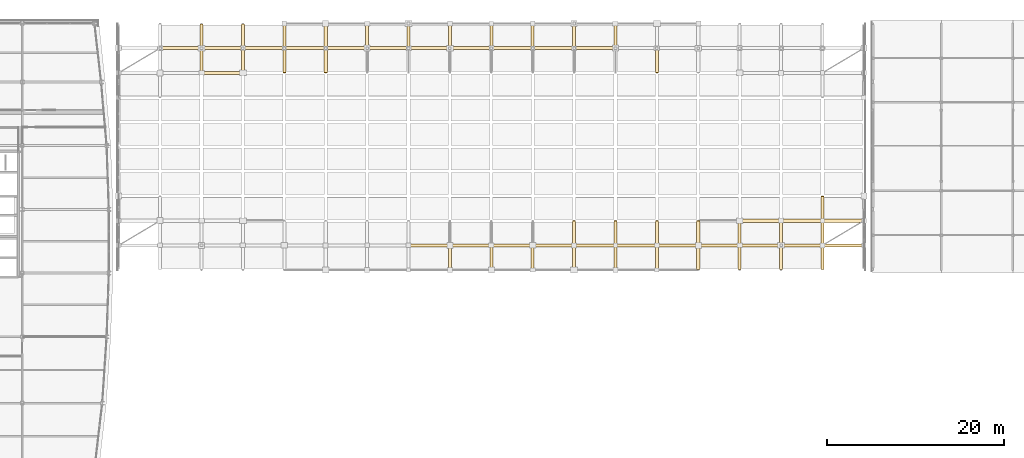
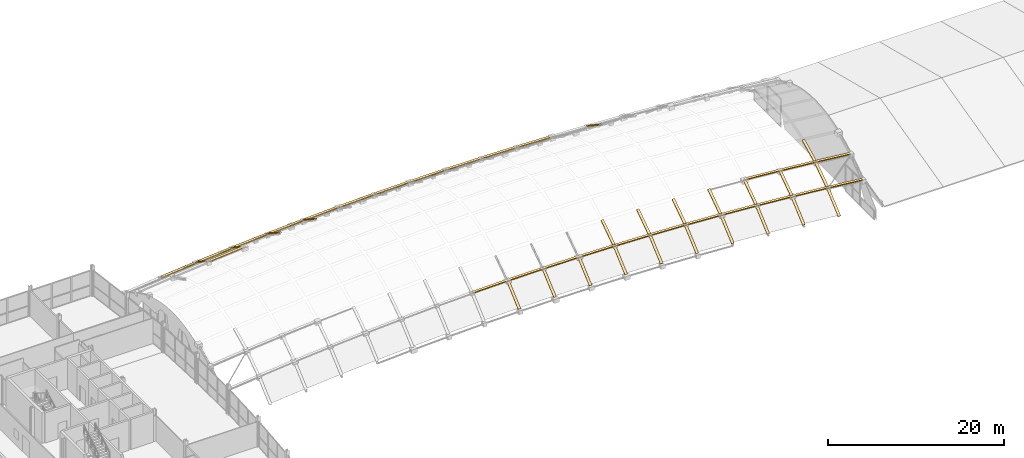
# One storey, part 64 of 65: 60 coverings.
"""IFC4 building model written with IfcOpenShell, lengths in metres."""

from ifc_helpers import new_model, si_unit, direction, frame, origin, place, context, subcontext, project, spatial, polyline, outline, extrude, material, layer, layer_set, type_object, element, save


model = new_model("IFC4")

# Units and contexts
model_context = context("Model", 3, precision=1e-05, world=origin(), true_north=direction((0.0, 1.0)))
body_context = subcontext(model_context, "Body", "Model", "MODEL_VIEW")
ifc_project = project(units=[si_unit("LENGTHUNIT", "METRE"), si_unit("AREAUNIT", "SQUARE_METRE"), si_unit("VOLUMEUNIT", "CUBIC_METRE"), si_unit("PLANEANGLEUNIT", "RADIAN"), si_unit("MASSUNIT", "GRAM", prefix="KILO")], contexts=[model_context])

# Site, building, storey
site_placement = place(None, origin())
site = spatial("IfcSite", under=ifc_project, at=site_placement, CompositionType="ELEMENT")
building_placement = place(site_placement, origin())
building = spatial("IfcBuilding", under=site, at=building_placement, Name="Quillay Park Conservatory", CompositionType="ELEMENT")
storey_placement = place(building_placement, frame((0.0, 0.0, 14.10009765625)))
storey = spatial("IfcBuildingStorey", under=building, at=storey_placement, Name="L03", CompositionType="ELEMENT", Elevation=14.10009765625)

# Coverings
ifc_material = material(Name="Thermally Broken Anodised Aluminium 6063-T6", Category="aluminium")
ifc_layer = layer(ifc_material, 0.090087890625)
ifc_layer_set = layer_set([ifc_layer], Name="GRIDSHELL GLAZING CAP BAR 90 (Thermally Broken Anodised Aluminium 6063-T6)")
covering_type = type_object("IfcCoveringType", Name="GRIDSHELL GLAZING CAP BAR 90", PredefinedType="CLADDING", material=ifc_layer_set)
covering_1_placement = place(storey_placement, frame((39.83056640625, 107.8798828125, 3.922119140625), z_axis=(0.0, 0.556164150236, 0.83107246254), x_axis=(1.0, 0.0, 0.0)))
element("IfcCovering", 1, at=covering_1_placement, inside=storey, type_object=covering_type, Name="Gridshell Transverse Glazing Cap Bar 02-08", PredefinedType="CLADDING", context=body_context, shape_type="SweptSolid", body=[
    extrude(outline(polyline([(0.0, 0.0), (0.35009765625, 0.0), (0.35009765625, 3.230835715027263), (0.0, 3.230835715027263), (0.0, 0.0)])), origin(), (0.0, 0.0, -1.0), 0.1201171875),
])
covering_2_placement = place(storey_placement, frame((39.83056640625, 110.6650390625, 2.051025390625), z_axis=(0.0, 0.652582474845, 0.757717700417), x_axis=(1.0, 0.0, 0.0)))
element("IfcCovering", 2, at=covering_2_placement, inside=storey, type_object=covering_type, Name="Gridshell Transverse Glazing Cap Bar 02-09", PredefinedType="CLADDING", context=body_context, shape_type="SweptSolid", body=[
    extrude(outline(polyline([(0.0, 0.0), (0.35009765625, 0.0), (0.35009765625, 3.543613396220125), (0.0, 3.543613396220125), (0.0, 0.0)])), origin(), (0.0, 0.0, -1.0), 0.1201171875),
])
covering_3_placement = place(storey_placement, frame((44.50830078125, 107.8798828125, 4.301025390625), z_axis=(0.0, 0.556164150236, 0.83107246254), x_axis=(1.0, 0.0, 0.0)))
element("IfcCovering", 3, at=covering_3_placement, inside=storey, type_object=covering_type, Name="Gridshell Transverse Glazing Cap Bar 03-08", PredefinedType="CLADDING", context=body_context, shape_type="SweptSolid", body=[
    extrude(outline(polyline([(0.0, 0.0), (0.35009765625, 0.0), (0.35009765625, 3.230835715027263), (0.0, 3.230835715027263), (0.0, 0.0)])), origin(), (0.0, 0.0, -1.0), 0.1201171875),
])
covering_4_placement = place(storey_placement, frame((44.50830078125, 110.6650390625, 2.429931640625), z_axis=(0.0, 0.652582474845, 0.757717700417), x_axis=(1.0, 0.0, 0.0)))
element("IfcCovering", 4, at=covering_4_placement, inside=storey, type_object=covering_type, Name="Gridshell Transverse Glazing Cap Bar 03-09", PredefinedType="CLADDING", context=body_context, shape_type="SweptSolid", body=[
    extrude(outline(polyline([(0.0, 0.0), (0.35009765625, 0.0), (0.35009765625, 3.543613396220125), (0.0, 3.543613396220125), (0.0, 0.0)])), origin(), (0.0, 0.0, -1.0), 0.1201171875),
])
covering_5_placement = place(storey_placement, frame((49.18603515625, 107.8798828125, 4.621337890625), z_axis=(0.0, 0.556164150236, 0.83107246254), x_axis=(1.0, 0.0, 0.0)))
element("IfcCovering", 5, at=covering_5_placement, inside=storey, type_object=covering_type, Name="Gridshell Transverse Glazing Cap Bar 04-08", PredefinedType="CLADDING", context=body_context, shape_type="SweptSolid", body=[
    extrude(outline(polyline([(0.0, 0.0), (0.35009765625, 0.0), (0.35009765625, 3.230835715027263), (0.0, 3.230835715027263), (0.0, 0.0)])), origin(), (0.0, 0.0, -1.0), 0.1201171875),
])
covering_6_placement = place(storey_placement, frame((49.18603515625, 110.6650390625, 2.750244140625), z_axis=(0.0, 0.652582474845, 0.757717700417), x_axis=(1.0, 0.0, 0.0)))
element("IfcCovering", 6, at=covering_6_placement, inside=storey, type_object=covering_type, Name="Gridshell Transverse Glazing Cap Bar 04-09", PredefinedType="CLADDING", context=body_context, shape_type="SweptSolid", body=[
    extrude(outline(polyline([(0.0, 0.0), (0.35009765625, 0.0), (0.35009765625, 3.543613396220125), (0.0, 3.543613396220125), (0.0, 0.0)])), origin(), (0.0, 0.0, -1.0), 0.1201171875),
])
covering_7_placement = place(storey_placement, frame((53.864013671875, 107.8798828125, 4.883056640625), z_axis=(0.0, 0.556164150236, 0.83107246254), x_axis=(1.0, 0.0, 0.0)))
element("IfcCovering", 7, at=covering_7_placement, inside=storey, type_object=covering_type, Name="Gridshell Transverse Glazing Cap Bar 05-08", PredefinedType="CLADDING", context=body_context, shape_type="SweptSolid", body=[
    extrude(outline(polyline([(0.0, 0.0), (0.349853515625, 0.0), (0.349853515625, 3.230835715027263), (0.0, 3.230835715027263), (0.0, 0.0)])), origin(), (0.0, 0.0, -1.0), 0.1201171875),
])
for number, where, z_axis, x_axis, name in (
    (8, (53.864013671875, 110.6650390625, 3.011962890625), (0.0, 0.652582474845, 0.757717700417), (1.0, 0.0, 0.0), "Gridshell Transverse Glazing Cap Bar 05-09"),
    (9, (58.541748046875, 110.6650390625, 3.215087890625), (0.0, 0.652582474845, 0.757717700417), (1.0, 0.0, 0.0), "Gridshell Transverse Glazing Cap Bar 06-09"),
    (10, (63.219482421875, 110.6650390625, 3.363525390625), (0.0, 0.652582474845, 0.757717700417), (1.0, 0.0, 0.0), "Gridshell Transverse Glazing Cap Bar 07-09"),
):
    element("IfcCovering", number, at=place(storey_placement, frame(where, z_axis=z_axis, x_axis=x_axis)), inside=storey, type_object=covering_type, Name=name, PredefinedType="CLADDING", context=body_context, shape_type="SweptSolid", body=[
        extrude(outline(polyline([(0.0, 0.0), (0.349853515625, 0.0), (0.349853515625, 3.543613396220125), (0.0, 3.543613396220125), (0.0, 0.0)])), origin(), (0.0, 0.0, -1.0), 0.1201171875),
    ])
covering_8_placement = place(storey_placement, frame((67.897216796875, 85.60009765625, 0.894775390625), z_axis=(0.0, -0.660113439794, 0.751165924815), x_axis=(1.0, 0.0, 0.0)))
element("IfcCovering", 11, at=covering_8_placement, inside=storey, type_object=covering_type, Name="Gridshell Transverse Glazing Cap Bar 08-00", PredefinedType="CLADDING", context=body_context, shape_type="SweptSolid", body=[
    extrude(outline(polyline([(0.0, 0.0), (0.35009765625, 0.0), (0.35009765625, 3.574196278652572), (0.0, 3.574196278652572), (0.0, 0.0)])), origin(), (0.0, 0.0, -1.0), 0.1201171875),
])
covering_9_placement = place(storey_placement, frame((67.897216796875, 110.6650390625, 3.449462890625), z_axis=(0.0, 0.652582474845, 0.757717700417), x_axis=(1.0, 0.0, 0.0)))
element("IfcCovering", 12, at=covering_9_placement, inside=storey, type_object=covering_type, Name="Gridshell Transverse Glazing Cap Bar 08-09", PredefinedType="CLADDING", context=body_context, shape_type="SweptSolid", body=[
    extrude(outline(polyline([(0.0, 0.0), (0.35009765625, 0.0), (0.35009765625, 3.543613396220125), (0.0, 3.543613396220125), (0.0, 0.0)])), origin(), (0.0, 0.0, -1.0), 0.1201171875),
])
covering_10_placement = place(storey_placement, frame((72.574951171875, 85.60009765625, 0.926025390625), z_axis=(0.0, -0.660113439794, 0.751165924815), x_axis=(1.0, 0.0, 0.0)))
element("IfcCovering", 13, at=covering_10_placement, inside=storey, type_object=covering_type, Name="Gridshell Transverse Glazing Cap Bar 09-00", PredefinedType="CLADDING", context=body_context, shape_type="SweptSolid", body=[
    extrude(outline(polyline([(0.0, 0.0), (0.35009765625, 0.0), (0.35009765625, 3.574196278652572), (0.0, 3.574196278652572), (0.0, 0.0)])), origin(), (0.0, 0.0, -1.0), 0.1201171875),
])
covering_11_placement = place(storey_placement, frame((72.574951171875, 110.6650390625, 3.480712890625), z_axis=(0.0, 0.652582474845, 0.757717700417), x_axis=(1.0, 0.0, 0.0)))
element("IfcCovering", 14, at=covering_11_placement, inside=storey, type_object=covering_type, Name="Gridshell Transverse Glazing Cap Bar 09-09", PredefinedType="CLADDING", context=body_context, shape_type="SweptSolid", body=[
    extrude(outline(polyline([(0.0, 0.0), (0.35009765625, 0.0), (0.35009765625, 3.543613396220125), (0.0, 3.543613396220125), (0.0, 0.0)])), origin(), (0.0, 0.0, -1.0), 0.1201171875),
])
covering_12_placement = place(storey_placement, frame((77.252685546875, 85.60009765625, 0.894775390625), z_axis=(0.0, -0.660113439794, 0.751165924815), x_axis=(1.0, 0.0, 0.0)))
element("IfcCovering", 15, at=covering_12_placement, inside=storey, type_object=covering_type, Name="Gridshell Transverse Glazing Cap Bar 10-00", PredefinedType="CLADDING", context=body_context, shape_type="SweptSolid", body=[
    extrude(outline(polyline([(0.0, 0.0), (0.35009765625, 0.0), (0.35009765625, 3.574196278652572), (0.0, 3.574196278652572), (0.0, 0.0)])), origin(), (0.0, 0.0, -1.0), 0.1201171875),
])
covering_13_placement = place(storey_placement, frame((77.252685546875, 110.6650390625, 3.449462890625), z_axis=(0.0, 0.652582474845, 0.757717700417), x_axis=(1.0, 0.0, 0.0)))
element("IfcCovering", 16, at=covering_13_placement, inside=storey, type_object=covering_type, Name="Gridshell Transverse Glazing Cap Bar 10-09", PredefinedType="CLADDING", context=body_context, shape_type="SweptSolid", body=[
    extrude(outline(polyline([(0.0, 0.0), (0.35009765625, 0.0), (0.35009765625, 3.543613396220125), (0.0, 3.543613396220125), (0.0, 0.0)])), origin(), (0.0, 0.0, -1.0), 0.1201171875),
])
covering_14_placement = place(storey_placement, frame((81.9306640625, 85.60009765625, 0.808837890625), z_axis=(0.0, -0.660113439794, 0.751165924815), x_axis=(1.0, 0.0, 0.0)))
element("IfcCovering", 17, at=covering_14_placement, inside=storey, type_object=covering_type, Name="Gridshell Transverse Glazing Cap Bar 11-00", PredefinedType="CLADDING", context=body_context, shape_type="SweptSolid", body=[
    extrude(outline(polyline([(0.0, 0.0), (0.349853515625, 0.0), (0.349853515625, 3.574196278652572), (0.0, 3.574196278652572), (0.0, 0.0)])), origin(), (0.0, 0.0, -1.0), 0.1201171875),
])
covering_15_placement = place(storey_placement, frame((81.9306640625, 88.385009765625, 3.246337890625), z_axis=(0.0, -0.565248454468, 0.824920714203), x_axis=(1.0, 0.0, 0.0)))
element("IfcCovering", 18, at=covering_15_placement, inside=storey, type_object=covering_type, Name="Gridshell Transverse Glazing Cap Bar 11-01", PredefinedType="CLADDING", context=body_context, shape_type="SweptSolid", body=[
    extrude(outline(polyline([(0.0, 0.0), (0.349853515625, 0.0), (0.349853515625, 3.2549292889838313), (0.0, 3.2549292889838313), (0.0, 0.0)])), origin(), (0.0, 0.0, -1.0), 0.1201171875),
])
covering_16_placement = place(storey_placement, frame((81.9306640625, 110.6650390625, 3.363525390625), z_axis=(0.0, 0.652582474845, 0.757717700417), x_axis=(1.0, 0.0, 0.0)))
element("IfcCovering", 19, at=covering_16_placement, inside=storey, type_object=covering_type, Name="Gridshell Transverse Glazing Cap Bar 11-09", PredefinedType="CLADDING", context=body_context, shape_type="SweptSolid", body=[
    extrude(outline(polyline([(0.0, 0.0), (0.349853515625, 0.0), (0.349853515625, 3.543613396220125), (0.0, 3.543613396220125), (0.0, 0.0)])), origin(), (0.0, 0.0, -1.0), 0.1201171875),
])
covering_17_placement = place(storey_placement, frame((86.6083984375, 85.60009765625, 0.660400390625), z_axis=(0.0, -0.660113439794, 0.751165924815), x_axis=(1.0, 0.0, 0.0)))
element("IfcCovering", 20, at=covering_17_placement, inside=storey, type_object=covering_type, Name="Gridshell Transverse Glazing Cap Bar 12-00", PredefinedType="CLADDING", context=body_context, shape_type="SweptSolid", body=[
    extrude(outline(polyline([(0.0, 0.0), (0.349853515625, 0.0), (0.349853515625, 3.574196278652572), (0.0, 3.574196278652572), (0.0, 0.0)])), origin(), (0.0, 0.0, -1.0), 0.1201171875),
])
covering_18_placement = place(storey_placement, frame((86.6083984375, 88.385009765625, 3.097900390625), z_axis=(0.0, -0.565248454468, 0.824920714203), x_axis=(1.0, 0.0, 0.0)))
element("IfcCovering", 21, at=covering_18_placement, inside=storey, type_object=covering_type, Name="Gridshell Transverse Glazing Cap Bar 12-01", PredefinedType="CLADDING", context=body_context, shape_type="SweptSolid", body=[
    extrude(outline(polyline([(0.0, 0.0), (0.349853515625, 0.0), (0.349853515625, 3.2549292889838313), (0.0, 3.2549292889838313), (0.0, 0.0)])), origin(), (0.0, 0.0, -1.0), 0.1201171875),
])
covering_19_placement = place(storey_placement, frame((86.6083984375, 110.6650390625, 3.215087890625), z_axis=(0.0, 0.652582474845, 0.757717700417), x_axis=(1.0, 0.0, 0.0)))
element("IfcCovering", 22, at=covering_19_placement, inside=storey, type_object=covering_type, Name="Gridshell Transverse Glazing Cap Bar 12-09", PredefinedType="CLADDING", context=body_context, shape_type="SweptSolid", body=[
    extrude(outline(polyline([(0.0, 0.0), (0.349853515625, 0.0), (0.349853515625, 3.543613396220125), (0.0, 3.543613396220125), (0.0, 0.0)])), origin(), (0.0, 0.0, -1.0), 0.1201171875),
])
covering_20_placement = place(storey_placement, frame((91.2861328125, 85.60009765625, 0.457275390625), z_axis=(0.0, -0.660113439794, 0.751165924815), x_axis=(1.0, 0.0, 0.0)))
element("IfcCovering", 23, at=covering_20_placement, inside=storey, type_object=covering_type, Name="Gridshell Transverse Glazing Cap Bar 13-00", PredefinedType="CLADDING", context=body_context, shape_type="SweptSolid", body=[
    extrude(outline(polyline([(0.0, 0.0), (0.349853515625, 0.0), (0.349853515625, 3.574196278652572), (0.0, 3.574196278652572), (0.0, 0.0)])), origin(), (0.0, 0.0, -1.0), 0.1201171875),
])
covering_21_placement = place(storey_placement, frame((91.2861328125, 88.385009765625, 2.894775390625), z_axis=(0.0, -0.565248454468, 0.824920714203), x_axis=(1.0, 0.0, 0.0)))
element("IfcCovering", 24, at=covering_21_placement, inside=storey, type_object=covering_type, Name="Gridshell Transverse Glazing Cap Bar 13-01", PredefinedType="CLADDING", context=body_context, shape_type="SweptSolid", body=[
    extrude(outline(polyline([(0.0, 0.0), (0.349853515625, 0.0), (0.349853515625, 3.2549292889838313), (0.0, 3.2549292889838313), (0.0, 0.0)])), origin(), (0.0, 0.0, -1.0), 0.1201171875),
])
covering_22_placement = place(storey_placement, frame((91.2861328125, 107.8798828125, 4.883056640625), z_axis=(0.0, 0.556164150236, 0.83107246254), x_axis=(1.0, 0.0, 0.0)))
element("IfcCovering", 25, at=covering_22_placement, inside=storey, type_object=covering_type, Name="Gridshell Transverse Glazing Cap Bar 13-08", PredefinedType="CLADDING", context=body_context, shape_type="SweptSolid", body=[
    extrude(outline(polyline([(0.0, 0.0), (0.349853515625, 0.0), (0.349853515625, 3.230835715027263), (0.0, 3.230835715027263), (0.0, 0.0)])), origin(), (0.0, 0.0, -1.0), 0.1201171875),
])
covering_23_placement = place(storey_placement, frame((95.9638671875, 85.60009765625, 0.195556640625), z_axis=(0.0, -0.660113439794, 0.751165924815), x_axis=(1.0, 0.0, 0.0)))
element("IfcCovering", 26, at=covering_23_placement, inside=storey, type_object=covering_type, Name="Gridshell Transverse Glazing Cap Bar 14-00", PredefinedType="CLADDING", context=body_context, shape_type="SweptSolid", body=[
    extrude(outline(polyline([(0.0, 0.0), (0.35009765625, 0.0), (0.35009765625, 3.574196278652572), (0.0, 3.574196278652572), (0.0, 0.0)])), origin(), (0.0, 0.0, -1.0), 0.1201171875),
])
covering_24_placement = place(storey_placement, frame((95.9638671875, 88.385009765625, 2.633056640625), z_axis=(0.0, -0.565248454468, 0.824920714203), x_axis=(1.0, 0.0, 0.0)))
element("IfcCovering", 27, at=covering_24_placement, inside=storey, type_object=covering_type, Name="Gridshell Transverse Glazing Cap Bar 14-01", PredefinedType="CLADDING", context=body_context, shape_type="SweptSolid", body=[
    extrude(outline(polyline([(0.0, 0.0), (0.35009765625, 0.0), (0.35009765625, 3.2549292889838313), (0.0, 3.2549292889838313), (0.0, 0.0)])), origin(), (0.0, 0.0, -1.0), 0.1201171875),
])
covering_25_placement = place(storey_placement, frame((100.6416015625, 85.60009765625, -0.124755859375), z_axis=(0.0, -0.660113439794, 0.751165924815), x_axis=(1.0, 0.0, 0.0)))
element("IfcCovering", 28, at=covering_25_placement, inside=storey, type_object=covering_type, Name="Gridshell Transverse Glazing Cap Bar 15-00", PredefinedType="CLADDING", context=body_context, shape_type="SweptSolid", body=[
    extrude(outline(polyline([(0.0, 0.0), (0.35009765625, 0.0), (0.35009765625, 3.574196278652572), (0.0, 3.574196278652572), (0.0, 0.0)])), origin(), (0.0, 0.0, -1.0), 0.1201171875),
])
covering_26_placement = place(storey_placement, frame((100.6416015625, 88.385009765625, 2.312744140625), z_axis=(0.0, -0.565248454468, 0.824920714203), x_axis=(1.0, 0.0, 0.0)))
element("IfcCovering", 29, at=covering_26_placement, inside=storey, type_object=covering_type, Name="Gridshell Transverse Glazing Cap Bar 15-01", PredefinedType="CLADDING", context=body_context, shape_type="SweptSolid", body=[
    extrude(outline(polyline([(0.0, 0.0), (0.35009765625, 0.0), (0.35009765625, 3.2549292889838313), (0.0, 3.2549292889838313), (0.0, 0.0)])), origin(), (0.0, 0.0, -1.0), 0.1201171875),
])
covering_27_placement = place(storey_placement, frame((105.3193359375, 85.60009765625, -0.503662109375), z_axis=(0.0, -0.660113439794, 0.751165924815), x_axis=(1.0, 0.0, 0.0)))
element("IfcCovering", 30, at=covering_27_placement, inside=storey, type_object=covering_type, Name="Gridshell Transverse Glazing Cap Bar 16-00", PredefinedType="CLADDING", context=body_context, shape_type="SweptSolid", body=[
    extrude(outline(polyline([(0.0, 0.0), (0.35009765625, 0.0), (0.35009765625, 3.574196278652572), (0.0, 3.574196278652572), (0.0, 0.0)])), origin(), (0.0, 0.0, -1.0), 0.1201171875),
])
covering_28_placement = place(storey_placement, frame((105.3193359375, 88.385009765625, 1.933837890625), z_axis=(0.0, -0.565248454468, 0.824920714203), x_axis=(1.0, 0.0, 0.0)))
element("IfcCovering", 31, at=covering_28_placement, inside=storey, type_object=covering_type, Name="Gridshell Transverse Glazing Cap Bar 16-01", PredefinedType="CLADDING", context=body_context, shape_type="SweptSolid", body=[
    extrude(outline(polyline([(0.0, 0.0), (0.35009765625, 0.0), (0.35009765625, 3.2549292889838313), (0.0, 3.2549292889838313), (0.0, 0.0)])), origin(), (0.0, 0.0, -1.0), 0.1201171875),
])
covering_29_placement = place(storey_placement, frame((109.997314453125, 85.60009765625, -0.941162109375), z_axis=(0.0, -0.660113439794, 0.751165924815), x_axis=(1.0, 0.0, 0.0)))
element("IfcCovering", 32, at=covering_29_placement, inside=storey, type_object=covering_type, Name="Gridshell Transverse Glazing Cap Bar 17-00", PredefinedType="CLADDING", context=body_context, shape_type="SweptSolid", body=[
    extrude(outline(polyline([(0.0, 0.0), (0.349853515625, 0.0), (0.349853515625, 3.574196278652572), (0.0, 3.574196278652572), (0.0, 0.0)])), origin(), (0.0, 0.0, -1.0), 0.1201171875),
])
covering_30_placement = place(storey_placement, frame((109.997314453125, 88.385009765625, 1.496337890625), z_axis=(0.0, -0.565248454468, 0.824920714203), x_axis=(1.0, 0.0, 0.0)))
element("IfcCovering", 33, at=covering_30_placement, inside=storey, type_object=covering_type, Name="Gridshell Transverse Glazing Cap Bar 17-01", PredefinedType="CLADDING", context=body_context, shape_type="SweptSolid", body=[
    extrude(outline(polyline([(0.0, 0.0), (0.349853515625, 0.0), (0.349853515625, 3.2549292889838313), (0.0, 3.2549292889838313), (0.0, 0.0)])), origin(), (0.0, 0.0, -1.0), 0.1201171875),
])
covering_31_placement = place(storey_placement, frame((109.997314453125, 91.169921875, 3.398681640625), z_axis=(0.0, -0.441263645499, 0.897377509837), x_axis=(1.0, 0.0, 0.0)))
element("IfcCovering", 34, at=covering_31_placement, inside=storey, type_object=covering_type, Name="Gridshell Transverse Glazing Cap Bar 17-02", PredefinedType="CLADDING", context=body_context, shape_type="SweptSolid", body=[
    extrude(outline(polyline([(0.0, 0.0), (0.349853515625, 0.0), (0.349853515625, 2.9921171015732284), (0.0, 2.9921171015732284), (0.0, 0.0)])), origin(), (0.0, 0.0, -1.0), 0.1201171875),
])
covering_32_placement = place(storey_placement, frame((63.4443359375, 88.159912109375, 3.207275390625), z_axis=(-0.018769025327, 0.0, 0.999823846329), x_axis=(0.999823846329, 0.0, 0.018769025327)))
element("IfcCovering", 35, at=covering_32_placement, inside=storey, type_object=covering_type, Name="Gridshell Longitudinal Glazing Cap Bar 07-01", PredefinedType="CLADDING", context=body_context, shape_type="SweptSolid", body=[
    extrude(outline(polyline([(0.0, 0.0), (4.578687411970623, 0.0), (4.578687411970623, 0.35009765625), (0.0, 0.35009765625), (0.0, 0.0)])), origin(), (0.0, 0.0, -1.0), 0.1201171875),
])
for number, where, z_axis, x_axis, name in (
    (36, (68.122314453125, 88.159912109375, 3.293212890625), (-0.006826507599, 0.0, 0.999976699126), (0.999976699126, 0.0, 0.006826507599), "Gridshell Longitudinal Glazing Cap Bar 08-01"),
    (37, (72.800048828125, 88.159912109375, 3.324462890625), (0.006826507599, 0.0, 0.999976699126), (0.999976699126, 0.0, -0.006826507599), "Gridshell Longitudinal Glazing Cap Bar 09-01"),
):
    element("IfcCovering", number, at=place(storey_placement, frame(where, z_axis=z_axis, x_axis=x_axis)), inside=storey, type_object=covering_type, Name=name, PredefinedType="CLADDING", context=body_context, shape_type="SweptSolid", body=[
        extrude(outline(polyline([(0.0, 0.0), (4.577743384173939, 0.0), (4.577743384173939, 0.35009765625), (0.0, 0.35009765625), (0.0, 0.0)])), origin(), (0.0, 0.0, -1.0), 0.1201171875),
    ])
covering_33_placement = place(storey_placement, frame((77.477783203125, 88.159912109375, 3.293212890625), z_axis=(0.018769025327, 0.0, 0.999823846329), x_axis=(0.999823846329, 0.0, -0.018769025327)))
element("IfcCovering", 38, at=covering_33_placement, inside=storey, type_object=covering_type, Name="Gridshell Longitudinal Glazing Cap Bar 10-01", PredefinedType="CLADDING", context=body_context, shape_type="SweptSolid", body=[
    extrude(outline(polyline([(0.0, 0.0), (4.578687411970623, 0.0), (4.578687411970623, 0.35009765625), (0.0, 0.35009765625), (0.0, 0.0)])), origin(), (0.0, 0.0, -1.0), 0.1201171875),
])
covering_34_placement = place(storey_placement, frame((82.155517578125, 88.159912109375, 3.203369140625), z_axis=(0.030703878741, 0.0, 0.999528524771), x_axis=(0.999528524771, 0.0, -0.030703878741)))
element("IfcCovering", 39, at=covering_34_placement, inside=storey, type_object=covering_type, Name="Gridshell Longitudinal Glazing Cap Bar 11-01", PredefinedType="CLADDING", context=body_context, shape_type="SweptSolid", body=[
    extrude(outline(polyline([(0.0, 0.0), (4.580040234894994, 0.0), (4.580040234894994, 0.35009765625), (0.0, 0.35009765625), (0.0, 0.0)])), origin(), (0.0, 0.0, -1.0), 0.1201171875),
])
covering_35_placement = place(storey_placement, frame((86.833251953125, 88.159912109375, 3.058837890625), z_axis=(0.043476530855, 0.0, 0.999054448599), x_axis=(0.999054448599, 0.0, -0.043476530855)))
element("IfcCovering", 40, at=covering_35_placement, inside=storey, type_object=covering_type, Name="Gridshell Longitudinal Glazing Cap Bar 12-01", PredefinedType="CLADDING", context=body_context, shape_type="SweptSolid", body=[
    extrude(outline(polyline([(0.0, 0.0), (4.582213577844616, 0.0), (4.582213577844616, 0.35009765625000006), (0.0, 0.35009765625000006), (0.0, 0.0)])), origin(), (0.0, 0.0, -1.0), 0.1201171875),
])
covering_36_placement = place(storey_placement, frame((91.510986328125, 88.159912109375, 2.855712890625), z_axis=(0.056227900695, 0.0, 0.998417960167), x_axis=(0.998417960167, 0.0, -0.056227900695)))
element("IfcCovering", 41, at=covering_36_placement, inside=storey, type_object=covering_type, Name="Gridshell Longitudinal Glazing Cap Bar 13-01", PredefinedType="CLADDING", context=body_context, shape_type="SweptSolid", body=[
    extrude(outline(polyline([(0.0, 0.0), (4.585134725151295, 0.0), (4.585134725151295, 0.35009765625), (0.0, 0.35009765625), (0.0, 0.0)])), origin(), (0.0, 0.0, -1.0), 0.1201171875),
])
covering_37_placement = place(storey_placement, frame((96.18896484375, 88.159912109375, 2.590087890625), z_axis=(0.068108147653, 0.0, 0.99767794414), x_axis=(0.99767794414, 0.0, -0.068108147653)))
element("IfcCovering", 42, at=covering_37_placement, inside=storey, type_object=covering_type, Name="Gridshell Longitudinal Glazing Cap Bar 14-01", PredefinedType="CLADDING", context=body_context, shape_type="SweptSolid", body=[
    extrude(outline(polyline([(0.0, 0.0), (4.588290986723518, 0.0), (4.588290986723518, 0.35009765625), (0.0, 0.35009765625), (0.0, 0.0)])), origin(), (0.0, 0.0, -1.0), 0.1201171875),
])
covering_38_placement = place(storey_placement, frame((100.86669921875, 88.159912109375, 2.269775390625), z_axis=(0.080801595311, 0.0, 0.996730205319), x_axis=(0.996730205319, 0.0, -0.080801595311)))
element("IfcCovering", 43, at=covering_38_placement, inside=storey, type_object=covering_type, Name="Gridshell Longitudinal Glazing Cap Bar 15-01", PredefinedType="CLADDING", context=body_context, shape_type="SweptSolid", body=[
    extrude(outline(polyline([(0.0, 0.0), (4.592653753565289, 0.0), (4.592653753565289, 0.35009765625), (0.0, 0.35009765625), (0.0, 0.0)])), origin(), (0.0, 0.0, -1.0), 0.1201171875),
])
covering_39_placement = place(storey_placement, frame((105.54443359375, 88.159912109375, 1.890869140625), z_axis=(0.093450911608, 0.0, 0.995623888383), x_axis=(0.995623888383, 0.0, -0.093450911608)))
element("IfcCovering", 44, at=covering_39_placement, inside=storey, type_object=covering_type, Name="Gridshell Longitudinal Glazing Cap Bar 16-01", PredefinedType="CLADDING", context=body_context, shape_type="SweptSolid", body=[
    extrude(outline(polyline([(0.0, 0.0), (4.5980022303483326, 0.0), (4.5980022303483326, 0.35009765624999994), (0.0, 0.35009765624999994), (0.0, 0.0)])), origin(), (0.0, 0.0, -1.0), 0.1201171875),
])
covering_40_placement = place(storey_placement, frame((110.22216796875, 88.159912109375, 1.453369140625), z_axis=(0.105220344611, 0.0, 0.994448932364), x_axis=(0.994448932364, 0.0, -0.105220344611)))
element("IfcCovering", 45, at=covering_40_placement, inside=storey, type_object=covering_type, Name="Gridshell Longitudinal Glazing Cap Bar 17-01", PredefinedType="CLADDING", context=body_context, shape_type="SweptSolid", body=[
    extrude(outline(polyline([(0.0, 0.0), (4.603434837516112, 0.0), (4.603434837516112, 0.35009765625), (0.0, 0.35009765625), (0.0, 0.0)])), origin(), (0.0, 0.0, -1.0), 0.1201171875),
])
covering_41_placement = place(storey_placement, frame((100.86669921875, 90.945068359375, 4.179931640625), z_axis=(0.080801595311, 0.0, 0.996730205319), x_axis=(0.996730205319, 0.0, -0.080801595311)))
element("IfcCovering", 46, at=covering_41_placement, inside=storey, type_object=covering_type, Name="Gridshell Longitudinal Glazing Cap Bar 15-02", PredefinedType="CLADDING", context=body_context, shape_type="SweptSolid", body=[
    extrude(outline(polyline([(0.0, 0.0), (4.592653753565289, 0.0), (4.592653753565289, 0.349853515625), (0.0, 0.349853515625), (0.0, 0.0)])), origin(), (0.0, 0.0, -1.0), 0.1201171875),
])
covering_42_placement = place(storey_placement, frame((105.54443359375, 90.945068359375, 3.801025390625), z_axis=(0.093450911608, 0.0, 0.995623888383), x_axis=(0.995623888383, 0.0, -0.093450911608)))
element("IfcCovering", 47, at=covering_42_placement, inside=storey, type_object=covering_type, Name="Gridshell Longitudinal Glazing Cap Bar 16-02", PredefinedType="CLADDING", context=body_context, shape_type="SweptSolid", body=[
    extrude(outline(polyline([(0.0, 0.0), (4.5980022303483326, 0.0), (4.5980022303483326, 0.34985351562499994), (0.0, 0.34985351562499994), (0.0, 0.0)])), origin(), (0.0, 0.0, -1.0), 0.1201171875),
])
covering_43_placement = place(storey_placement, frame((110.22216796875, 90.945068359375, 3.363525390625), z_axis=(0.105220344611, 0.0, 0.994448932364), x_axis=(0.994448932364, 0.0, -0.105220344611)))
element("IfcCovering", 48, at=covering_43_placement, inside=storey, type_object=covering_type, Name="Gridshell Longitudinal Glazing Cap Bar 17-02", PredefinedType="CLADDING", context=body_context, shape_type="SweptSolid", body=[
    extrude(outline(polyline([(0.0, 0.0), (4.603434837516112, 0.0), (4.603434837516112, 0.349853515625), (0.0, 0.349853515625), (0.0, 0.0)])), origin(), (0.0, 0.0, -1.0), 0.1201171875),
])
covering_44_placement = place(storey_placement, frame((40.0556640625, 107.655029296875, 3.953369140625), z_axis=(-0.080801595311, 0.0, 0.996730205319), x_axis=(0.996730205319, 0.0, 0.080801595311)))
element("IfcCovering", 49, at=covering_44_placement, inside=storey, type_object=covering_type, Name="Gridshell Longitudinal Glazing Cap Bar 02-08", PredefinedType="CLADDING", context=body_context, shape_type="SweptSolid", body=[
    extrude(outline(polyline([(0.0, 0.0), (4.592653753565289, 0.0), (4.592653753565289, 0.349853515625), (0.0, 0.349853515625), (0.0, 0.0)])), origin(), (0.0, 0.0, -1.0), 0.1201171875),
])
covering_45_placement = place(storey_placement, frame((35.377685546875, 110.43994140625, 1.656494140625), z_axis=(-0.093450911608, 0.0, 0.995623888383), x_axis=(0.995623888383, 0.0, 0.093450911608)))
element("IfcCovering", 50, at=covering_45_placement, inside=storey, type_object=covering_type, Name="Gridshell Longitudinal Glazing Cap Bar 01-09", PredefinedType="CLADDING", context=body_context, shape_type="SweptSolid", body=[
    extrude(outline(polyline([(0.0, 0.0), (4.5980022303483326, 0.0), (4.5980022303483326, 0.35009765624999994), (0.0, 0.35009765624999994), (0.0, 0.0)])), origin(), (0.0, 0.0, -1.0), 0.1201171875),
])
covering_46_placement = place(storey_placement, frame((40.0556640625, 110.43994140625, 2.093994140625), z_axis=(-0.080801595311, 0.0, 0.996730205319), x_axis=(0.996730205319, 0.0, 0.080801595311)))
element("IfcCovering", 51, at=covering_46_placement, inside=storey, type_object=covering_type, Name="Gridshell Longitudinal Glazing Cap Bar 02-09", PredefinedType="CLADDING", context=body_context, shape_type="SweptSolid", body=[
    extrude(outline(polyline([(0.0, 0.0), (4.592653753565289, 0.0), (4.592653753565289, 0.35009765625), (0.0, 0.35009765625), (0.0, 0.0)])), origin(), (0.0, 0.0, -1.0), 0.1201171875),
])
covering_47_placement = place(storey_placement, frame((44.7333984375, 110.43994140625, 2.472900390625), z_axis=(-0.068108147653, 0.0, 0.99767794414), x_axis=(0.99767794414, 0.0, 0.068108147653)))
element("IfcCovering", 52, at=covering_47_placement, inside=storey, type_object=covering_type, Name="Gridshell Longitudinal Glazing Cap Bar 03-09", PredefinedType="CLADDING", context=body_context, shape_type="SweptSolid", body=[
    extrude(outline(polyline([(0.0, 0.0), (4.588290986723518, 0.0), (4.588290986723518, 0.35009765625), (0.0, 0.35009765625), (0.0, 0.0)])), origin(), (0.0, 0.0, -1.0), 0.1201171875),
])
covering_48_placement = place(storey_placement, frame((49.4111328125, 110.43994140625, 2.793212890625), z_axis=(-0.056227900695, 0.0, 0.998417960167), x_axis=(0.998417960167, 0.0, 0.056227900695)))
element("IfcCovering", 53, at=covering_48_placement, inside=storey, type_object=covering_type, Name="Gridshell Longitudinal Glazing Cap Bar 04-09", PredefinedType="CLADDING", context=body_context, shape_type="SweptSolid", body=[
    extrude(outline(polyline([(0.0, 0.0), (4.585134725151295, 0.0), (4.585134725151295, 0.35009765625), (0.0, 0.35009765625), (0.0, 0.0)])), origin(), (0.0, 0.0, -1.0), 0.1201171875),
])
covering_49_placement = place(storey_placement, frame((54.0888671875, 110.43994140625, 3.054931640625), z_axis=(-0.043476530855, 0.0, 0.999054448599), x_axis=(0.999054448599, 0.0, 0.043476530855)))
element("IfcCovering", 54, at=covering_49_placement, inside=storey, type_object=covering_type, Name="Gridshell Longitudinal Glazing Cap Bar 05-09", PredefinedType="CLADDING", context=body_context, shape_type="SweptSolid", body=[
    extrude(outline(polyline([(0.0, 0.0), (4.582213577844616, 0.0), (4.582213577844616, 0.35009765625000006), (0.0, 0.35009765625000006), (0.0, 0.0)])), origin(), (0.0, 0.0, -1.0), 0.1201171875),
])
covering_50_placement = place(storey_placement, frame((58.7666015625, 110.43994140625, 3.258056640625), z_axis=(-0.030703878741, 0.0, 0.999528524771), x_axis=(0.999528524771, 0.0, 0.030703878741)))
element("IfcCovering", 55, at=covering_50_placement, inside=storey, type_object=covering_type, Name="Gridshell Longitudinal Glazing Cap Bar 06-09", PredefinedType="CLADDING", context=body_context, shape_type="SweptSolid", body=[
    extrude(outline(polyline([(0.0, 0.0), (4.580040234894994, 0.0), (4.580040234894994, 0.35009765625), (0.0, 0.35009765625), (0.0, 0.0)])), origin(), (0.0, 0.0, -1.0), 0.1201171875),
])
covering_51_placement = place(storey_placement, frame((63.4443359375, 110.43994140625, 3.402587890625), z_axis=(-0.018769025327, 0.0, 0.999823846329), x_axis=(0.999823846329, 0.0, 0.018769025327)))
element("IfcCovering", 56, at=covering_51_placement, inside=storey, type_object=covering_type, Name="Gridshell Longitudinal Glazing Cap Bar 07-09", PredefinedType="CLADDING", context=body_context, shape_type="SweptSolid", body=[
    extrude(outline(polyline([(0.0, 0.0), (4.578687411970623, 0.0), (4.578687411970623, 0.35009765625), (0.0, 0.35009765625), (0.0, 0.0)])), origin(), (0.0, 0.0, -1.0), 0.1201171875),
])
for number, where, z_axis, x_axis, name in (
    (57, (68.122314453125, 110.43994140625, 3.488525390625), (-0.006826507599, 0.0, 0.999976699126), (0.999976699126, 0.0, 0.006826507599), "Gridshell Longitudinal Glazing Cap Bar 08-09"),
    (58, (72.800048828125, 110.43994140625, 3.519775390625), (0.006826507599, 0.0, 0.999976699126), (0.999976699126, 0.0, -0.006826507599), "Gridshell Longitudinal Glazing Cap Bar 09-09"),
):
    element("IfcCovering", number, at=place(storey_placement, frame(where, z_axis=z_axis, x_axis=x_axis)), inside=storey, type_object=covering_type, Name=name, PredefinedType="CLADDING", context=body_context, shape_type="SweptSolid", body=[
        extrude(outline(polyline([(0.0, 0.0), (4.577743384173939, 0.0), (4.577743384173939, 0.35009765625), (0.0, 0.35009765625), (0.0, 0.0)])), origin(), (0.0, 0.0, -1.0), 0.1201171875),
    ])
covering_52_placement = place(storey_placement, frame((77.477783203125, 110.43994140625, 3.488525390625), z_axis=(0.018769025327, 0.0, 0.999823846329), x_axis=(0.999823846329, 0.0, -0.018769025327)))
element("IfcCovering", 59, at=covering_52_placement, inside=storey, type_object=covering_type, Name="Gridshell Longitudinal Glazing Cap Bar 10-09", PredefinedType="CLADDING", context=body_context, shape_type="SweptSolid", body=[
    extrude(outline(polyline([(0.0, 0.0), (4.578687411970623, 0.0), (4.578687411970623, 0.35009765625), (0.0, 0.35009765625), (0.0, 0.0)])), origin(), (0.0, 0.0, -1.0), 0.1201171875),
])
covering_53_placement = place(storey_placement, frame((82.155517578125, 110.43994140625, 3.398681640625), z_axis=(0.030703878741, 0.0, 0.999528524771), x_axis=(0.999528524771, 0.0, -0.030703878741)))
element("IfcCovering", 60, at=covering_53_placement, inside=storey, type_object=covering_type, Name="Gridshell Longitudinal Glazing Cap Bar 11-09", PredefinedType="CLADDING", context=body_context, shape_type="SweptSolid", body=[
    extrude(outline(polyline([(0.0, 0.0), (4.580040234894994, 0.0), (4.580040234894994, 0.35009765625), (0.0, 0.35009765625), (0.0, 0.0)])), origin(), (0.0, 0.0, -1.0), 0.1201171875),
])

save(model, "model.ifc")
